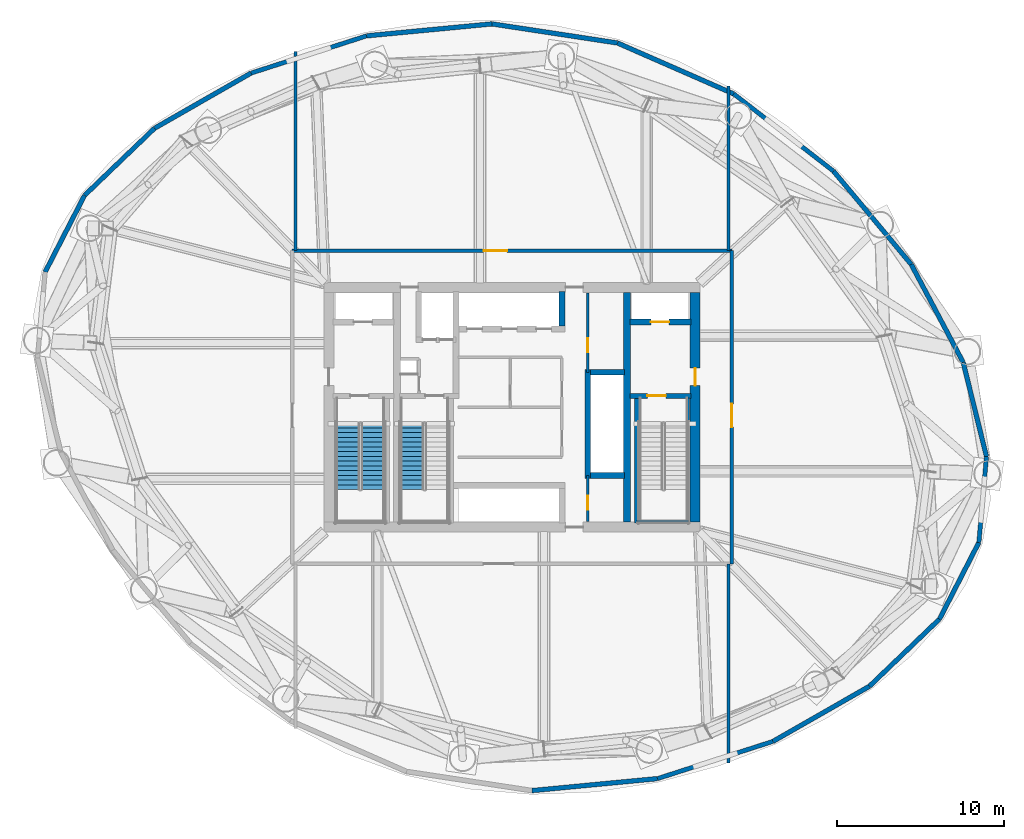
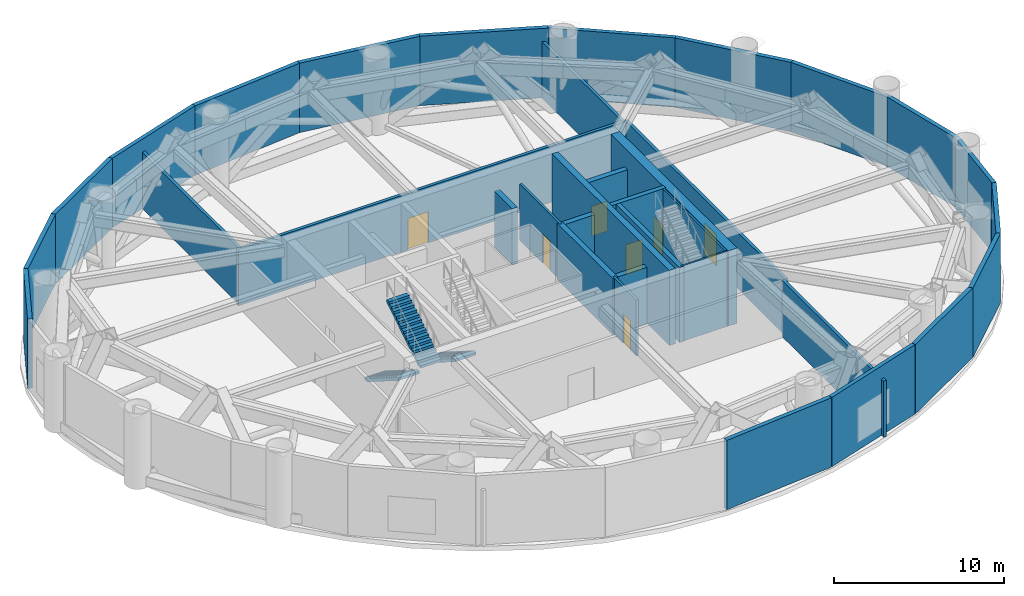
# One storey, part 8 of 13: 35 walls, 7 doors, 3 stair flights, 7 openings, 2 elements without a shape of their own.
"""IFC4 building model written with IfcOpenShell, lengths in metres."""

from ifc_helpers import new_model, si_unit, direction, frame, frame_2d, origin, place, context, subcontext, project, spatial, polyline, rectangle, outline, extrude, material, layer, layer_set, type_object, element, fill, aggregate, save


model = new_model("IFC4")

# Units and contexts
model_context = context("Model", 3, precision=1e-05, world=origin(), true_north=direction((0.0, 1.0)))
body_context = subcontext(model_context, "Body", "Model", "MODEL_VIEW")
ifc_project = project(units=[si_unit("LENGTHUNIT", "METRE"), si_unit("AREAUNIT", "SQUARE_METRE"), si_unit("VOLUMEUNIT", "CUBIC_METRE"), si_unit("PLANEANGLEUNIT", "RADIAN"), si_unit("MASSUNIT", "GRAM", prefix="KILO")], contexts=[model_context])

# Site, building, storey
site_placement = place(None, origin())
site = spatial("IfcSite", under=ifc_project, at=site_placement, CompositionType="ELEMENT")
building_placement = place(site_placement, origin())
building = spatial("IfcBuilding", under=site, at=building_placement, Name="Bramvorn Convention Spire", CompositionType="ELEMENT")
storey_placement = place(building_placement, frame((0.0, 0.0, 97.39990234375)))
storey = spatial("IfcBuildingStorey", under=building, at=storey_placement, Name="L23", CompositionType="ELEMENT", Elevation=97.39990234375)

# Wall, opening, door
ifc_material_1 = material(Name="Concrete C60/70", Category="concrete")
ifc_layer_1 = layer(ifc_material_1, 0.60009765625)
ifc_layer_set_1 = layer_set([ifc_layer_1], Name="Concrete C60/70 - WL-CORE-600")
wall_type_1 = type_object("IfcWallType", Name="WL-CORE-600", PredefinedType="SHEAR", material=ifc_layer_set_1)
wall_1_placement = place(storey_placement, frame((49.0, 19.10009765625, 0.0), z_axis=(0.0, 0.0, 1.0), x_axis=(0.0, 1.0, 0.0)))
wall_1 = element("IfcWall", 1, at=wall_1_placement, inside=storey, type_object=wall_type_1, Name="L23 East RC core shear wall", PredefinedType="SHEAR", context=body_context, shape_type="SweptSolid", body=[
    extrude(rectangle(XDim=13.7998046875, YDim=0.60009765625, at=frame_2d((6.89990234375, 0.0))), origin(), (0.0, 0.0, 1.0), 5.400146484375),
])
opening_1_placement = place(wall_1_placement, frame((8.199951171875, 0.0, 0.0)))
opening_1 = element("IfcOpeningElement", 2, at=opening_1_placement, cuts=wall_1, Name="Opening DL-105", PredefinedType="OPENING", context=body_context, shape_type="SweptSolid", body=[
    extrude(rectangle(XDim=1.050048828125, YDim=2.14990234375, at=frame_2d((0.52490234375, 1.074951171875))), frame((0.0, 0.31005859375, 0.0), z_axis=(0.0, -1.0, 0.0), x_axis=(1.0, 0.0, 0.0)), (0.0, 0.0, 1.0), 0.6201171875),
])
ifc_material_2 = material(Name="Smoke-Sealed Fire Lobby Timber-Core Door", Category="wood")
door_type_1 = type_object("IfcDoorType", Name="DR-LOBBY-1050", OperationType="NOTDEFINED", PredefinedType="DOOR", material=ifc_material_2)
door_1_placement = place(opening_1_placement, origin())
door_1 = element("IfcDoor", 3, at=door_1_placement, inside=storey, type_object=door_type_1, Name="L23 East Firefighting Lobby corridor door", OperationType="SINGLE_SWING_LEFT", OverallHeight=2.14990234375, OverallWidth=1.050048828125, PredefinedType="DOOR", context=body_context, shape_type="SweptSolid", body=[
    extrude(rectangle(XDim=1.050048828125, YDim=2.14990234375, at=frame_2d((0.52490234375, 1.074951171875))), frame((0.0, 0.02490234375, 0.0), z_axis=(0.0, -1.0, 0.0), x_axis=(1.0, 0.0, 0.0)), (0.0, 0.0, 1.0), 0.050048828125),
])
fill(opening_1, door_1)

ifc_material_3 = material(Name="Concrete C50/60", Category="concrete")
ifc_layer_2 = layer(ifc_material_3, 0.35009765625)
ifc_layer_set_2 = layer_set([ifc_layer_2], Name="Concrete C50/60 - WL-CORE-INT-350")
wall_type_2 = type_object("IfcWallType", Name="WL-CORE-INT-350", PredefinedType="SHEAR", material=ifc_layer_set_2)
wall_2_placement = place(storey_placement, frame((45.080078125, 31.1201171875, 0.0), z_axis=(0.0, 0.0, 1.0), x_axis=(1.0, 0.0, 0.0)))
wall_2 = element("IfcWall", 4, at=wall_2_placement, inside=storey, type_object=wall_type_2, Name="L23 FE2 shaft front wall", PredefinedType="SHEAR", context=body_context, shape_type="SweptSolid", body=[
    extrude(rectangle(XDim=3.669921875, YDim=0.35009765625, at=frame_2d((1.8349609375, 0.0))), origin(), (0.0, 0.0, 1.0), 4.0400390625),
])
opening_2_placement = place(wall_2_placement, frame((1.25, 0.0, 0.0)))
opening_2 = element("IfcOpeningElement", 5, at=opening_2_placement, cuts=wall_2, Name="Opening LD-110", PredefinedType="OPENING", context=body_context, shape_type="SweptSolid", body=[
    extrude(rectangle(XDim=1.10009765625, YDim=2.14990234375, at=frame_2d((0.550048828125, 1.074951171875))), frame((0.0, 0.18505859375, 0.0), z_axis=(0.0, -1.0, 0.0), x_axis=(1.0, 0.0, 0.0)), (0.0, 0.0, 1.0), 0.3701171875),
])
ifc_material_4 = material(Name="Firefighting & Service Lift Sliding Landing Door", Category="steel")
door_type_2 = type_object("IfcDoorType", Name="DR-LIFT-LD-1100", OperationType="NOTDEFINED", PredefinedType="DOOR", material=ifc_material_4)
door_2_placement = place(opening_2_placement, origin())
door_2 = element("IfcDoor", 6, at=door_2_placement, inside=storey, type_object=door_type_2, Name="L23 Lift FE2 Sliding Landing Door", OperationType="SLIDING_TO_LEFT", OverallHeight=2.14990234375, OverallWidth=1.10009765625, PredefinedType="DOOR", context=body_context, shape_type="SweptSolid", body=[
    extrude(rectangle(XDim=1.10009765625, YDim=2.14990234375, at=frame_2d((0.550048828125, 1.074951171875))), frame((0.0, 0.02490234375, 0.0), z_axis=(0.0, -1.0, 0.0), x_axis=(1.0, 0.0, 0.0)), (0.0, 0.0, 1.0), 0.050048828125),
])
fill(opening_2, door_2)

# Walls
wall_3_placement = place(storey_placement, frame((42.550048828125, 21.72998046875, 0.0), z_axis=(0.0, 0.0, 1.0), x_axis=(0.0, 1.0, 0.0)))
element("IfcWall", 7, at=wall_3_placement, inside=storey, type_object=wall_type_2, Name="L23 High-rise lift bank west wall", PredefinedType="SHEAR", context=body_context, shape_type="SweptSolid", body=[
    extrude(rectangle(XDim=6.5400390625, YDim=0.35009765625, at=frame_2d((3.27001953125, 0.0))), origin(), (0.0, 0.0, 1.0), 4.0400390625),
])
for number, where, z_axis, x_axis, name in (
    (8, (42.719970703125, 21.89990234375, 0.0), (0.0, 0.0, 1.0), (1.0, 0.0, 0.0), "L23 High-rise lift bank south wall"),
    (9, (42.719970703125, 28.10009765625, 0.0), (0.0, 0.0, 1.0), (1.0, 0.0, 0.0), "L23 High-rise lift bank north wall"),
):
    element("IfcWall", number, at=place(storey_placement, frame(where, z_axis=z_axis, x_axis=x_axis)), inside=storey, type_object=wall_type_2, Name=name, PredefinedType="SHEAR", context=body_context, shape_type="SweptSolid", body=[
        extrude(rectangle(XDim=2.030029296875, YDim=0.35009765625, at=frame_2d((1.01513671875, 0.0))), origin(), (0.0, 0.0, 1.0), 4.0400390625),
    ])
wall_4_placement = place(storey_placement, frame((41.0, 30.8701171875, 0.0), z_axis=(0.0, 0.0, 1.0), x_axis=(0.0, 1.0, 0.0)))
element("IfcWall", 10, at=wall_4_placement, inside=storey, type_object=wall_type_2, Name="L23 Low-rise bank east cheek wall", PredefinedType="SHEAR", context=body_context, shape_type="SweptSolid", body=[
    extrude(rectangle(XDim=2.079833984375, YDim=0.35009765625, at=frame_2d((1.0400390625, 0.0))), origin(), (0.0, 0.0, 1.0), 4.0400390625),
])
ifc_layer_3 = layer(ifc_material_1, 0.39990234375)
ifc_layer_set_3 = layer_set([ifc_layer_3], Name="Concrete C60/70 - WL-CORE-INT-400")
wall_type_3 = type_object("IfcWallType", Name="WL-CORE-INT-400", PredefinedType="SHEAR", material=ifc_layer_set_3)
wall_5_placement = place(storey_placement, frame((44.89990234375, 19.10009765625, 0.0), z_axis=(0.0, 0.0, 1.0), x_axis=(0.0, 1.0, 0.0)))
element("IfcWall", 11, at=wall_5_placement, inside=storey, type_object=wall_type_3, Name="L23 East internal core shear web", PredefinedType="SHEAR", context=body_context, shape_type="SweptSolid", body=[
    extrude(rectangle(XDim=13.7998046875, YDim=0.39990234375, at=frame_2d((6.89990234375, 0.0))), origin(), (0.0, 0.0, 1.0), 5.400146484375),
])
ifc_material_5 = material(Name="Precast Concrete C40/50 with Bronze Terracotta Rainscreen", Category="masonry")
ifc_layer_4 = layer(ifc_material_5, 0.300048828125)
ifc_layer_set_4 = layer_set([ifc_layer_4], Name="Precast Concrete C40/50 with Bronze Terracotta Rainscreen - WL-EXT-BRONZE-300")
wall_type_4 = type_object("IfcWallType", Name="WL-EXT-BRONZE-300", PredefinedType="SOLIDWALL", material=ifc_layer_set_4)
wall_6_placement = place(storey_placement, frame((65.087890625, 28.68994140625, 0.0), z_axis=(0.0, 0.0, 1.0), x_axis=(0.240088145805, -0.970751091807, 0.0)))
element("IfcWall", 12, at=wall_6_placement, inside=storey, type_object=wall_type_4, Name="L23 expressed bronze Gothic lancet pier wall 02", PredefinedType="SOLIDWALL", context=body_context, shape_type="SweptSolid", body=[
    extrude(rectangle(XDim=5.82275390625, YDim=0.280029296875, at=frame_2d((2.911376953125, 0.0))), origin(), (0.0, 0.0, 1.0), 4.97998046875),
])
wall_7_placement = place(storey_placement, frame((61.965087890625, 34.578369140625, 0.0), z_axis=(0.0, 0.0, 1.0), x_axis=(0.468520389659, -0.883452683777, 0.0)))
element("IfcWall", 13, at=wall_7_placement, inside=storey, type_object=wall_type_4, Name="L23 expressed bronze Gothic lancet pier wall 03", PredefinedType="SOLIDWALL", context=body_context, shape_type="SweptSolid", body=[
    extrude(rectangle(XDim=6.665283203125, YDim=0.280029296875, at=frame_2d((3.33251953125, 0.0))), origin(), (0.0, 0.0, 1.0), 4.97998046875),
])
wall_8_placement = place(storey_placement, frame((57.29541015625, 40.178466796875, 0.0), z_axis=(0.0, 0.0, 1.0), x_axis=(0.64042149177, -0.768023640833, 0.0)))
element("IfcWall", 14, at=wall_8_placement, inside=storey, type_object=wall_type_4, Name="L23 expressed bronze Gothic lancet pier wall 04", PredefinedType="SOLIDWALL", context=body_context, shape_type="SweptSolid", body=[
    extrude(rectangle(XDim=7.29150390625, YDim=0.280029296875, at=frame_2d((3.645751953125, 0.0))), origin(), (0.0, 0.0, 1.0), 4.97998046875),
])
for number, where, z_axis, x_axis, name in (
    (15, (44.33251953125, 47.867919921875, 0.0), (0.0, 0.0, 1.0), (0.916030033218, -0.401109683556, 0.0), "L23 expressed bronze Gothic lancet pier wall 06"),
    (16, (36.8017578125, 49.013916015625, 0.0), (0.0, 0.0, 1.0), (0.988618630086, -0.150443358932, 0.0), "L23 expressed bronze Gothic lancet pier wall 07"),
):
    element("IfcWall", number, at=place(storey_placement, frame(where, z_axis=z_axis, x_axis=x_axis)), inside=storey, type_object=wall_type_4, Name=name, PredefinedType="SOLIDWALL", context=body_context, shape_type="SweptSolid", body=[
        extrude(rectangle(XDim=7.617431640625, YDim=0.280029296875, at=frame_2d((3.80859375, 0.0))), origin(), (0.0, 0.0, 1.0), 4.97998046875),
    ])
wall_9_placement = place(storey_placement, frame((29.266845703125, 48.294921875, 0.0), z_axis=(0.0, 0.0, 1.0), x_axis=(0.995478205262, 0.09499022501, 0.0)))
element("IfcWall", 17, at=wall_9_placement, inside=storey, type_object=wall_type_4, Name="L23 expressed bronze Gothic lancet pier wall 08", PredefinedType="SOLIDWALL", context=body_context, shape_type="SweptSolid", body=[
    extrude(rectangle(XDim=7.569091796875, YDim=0.280029296875, at=frame_2d((3.78466796875, 0.0))), origin(), (0.0, 0.0, 1.0), 4.97998046875),
])
wall_10_placement = place(storey_placement, frame((16.541015625, 42.748291015625, 0.0), z_axis=(0.0, 0.0, 1.0), x_axis=(0.86808981903, 0.49640715758, 0.0)))
element("IfcWall", 18, at=wall_10_placement, inside=storey, type_object=wall_type_4, Name="L23 expressed bronze Gothic lancet pier wall 10", PredefinedType="SOLIDWALL", context=body_context, shape_type="SweptSolid", body=[
    extrude(rectangle(XDim=6.6650390625, YDim=0.280029296875, at=frame_2d((3.33251953125, 0.0))), origin(), (0.0, 0.0, 1.0), 4.97998046875),
])
wall_11_placement = place(storey_placement, frame((12.339111328125, 38.717529296875, 0.0), z_axis=(0.0, 0.0, 1.0), x_axis=(0.721650367619, 0.692257717122, 0.0)))
element("IfcWall", 19, at=wall_11_placement, inside=storey, type_object=wall_type_4, Name="L23 expressed bronze Gothic lancet pier wall 11", PredefinedType="SOLIDWALL", context=body_context, shape_type="SweptSolid", body=[
    extrude(rectangle(XDim=5.822509765625, YDim=0.280029296875, at=frame_2d((2.9111328125, 0.0))), origin(), (0.0, 0.0, 1.0), 4.97998046875),
])
wall_12_placement = place(storey_placement, frame((9.971435546875, 34.116455078125, 0.0), z_axis=(0.0, 0.0, 1.0), x_axis=(0.457563345327, 0.889177026814, 0.0)))
element("IfcWall", 20, at=wall_12_placement, inside=storey, type_object=wall_type_4, Name="L23 expressed bronze Gothic lancet pier wall 12", PredefinedType="SOLIDWALL", context=body_context, shape_type="SweptSolid", body=[
    extrude(rectangle(XDim=5.174560546875, YDim=0.280029296875, at=frame_2d((2.58740234375, 0.0))), origin(), (0.0, 0.0, 1.0), 4.97998046875),
])
wall_13_placement = place(storey_placement, frame((46.733154296875, 3.705078125, 0.0), z_axis=(0.0, 0.0, 1.0), x_axis=(-0.995478205262, -0.09499022501, 0.0)))
element("IfcWall", 21, at=wall_13_placement, inside=storey, type_object=wall_type_4, Name="L23 expressed bronze Gothic lancet pier wall 20", PredefinedType="SOLIDWALL", context=body_context, shape_type="SweptSolid", body=[
    extrude(rectangle(XDim=7.569091796875, YDim=0.280029296875, at=frame_2d((3.78466796875, 0.0))), origin(), (0.0, 0.0, 1.0), 4.97998046875),
])
wall_14_placement = place(storey_placement, frame((59.458984375, 9.251708984375, 0.0), z_axis=(0.0, 0.0, 1.0), x_axis=(-0.86808981903, -0.49640715758, 0.0)))
element("IfcWall", 22, at=wall_14_placement, inside=storey, type_object=wall_type_4, Name="L23 expressed bronze Gothic lancet pier wall 22", PredefinedType="SOLIDWALL", context=body_context, shape_type="SweptSolid", body=[
    extrude(rectangle(XDim=6.6650390625, YDim=0.280029296875, at=frame_2d((3.33251953125, 0.0))), origin(), (0.0, 0.0, 1.0), 4.97998046875),
])
wall_15_placement = place(storey_placement, frame((63.660888671875, 13.282470703125, 0.0), z_axis=(0.0, 0.0, 1.0), x_axis=(-0.721650367619, -0.692257717122, 0.0)))
element("IfcWall", 23, at=wall_15_placement, inside=storey, type_object=wall_type_4, Name="L23 expressed bronze Gothic lancet pier wall 23", PredefinedType="SOLIDWALL", context=body_context, shape_type="SweptSolid", body=[
    extrude(rectangle(XDim=5.822509765625, YDim=0.280029296875, at=frame_2d((2.9111328125, 0.0))), origin(), (0.0, 0.0, 1.0), 4.97998046875),
])
wall_16_placement = place(storey_placement, frame((66.028564453125, 17.883544921875, 0.0), z_axis=(0.0, 0.0, 1.0), x_axis=(-0.457563345327, -0.889177026814, 0.0)))
element("IfcWall", 24, at=wall_16_placement, inside=storey, type_object=wall_type_4, Name="L23 expressed bronze Gothic lancet pier wall 24", PredefinedType="SOLIDWALL", context=body_context, shape_type="SweptSolid", body=[
    extrude(rectangle(XDim=5.174560546875, YDim=0.280029296875, at=frame_2d((2.58740234375, 0.0))), origin(), (0.0, 0.0, 1.0), 4.97998046875),
])
ifc_material_6 = material(Name="Precast Concrete C40/50 Insulated Terrace Wall", Category="concrete")
ifc_layer_5 = layer(ifc_material_6, 0.280029296875)
ifc_layer_set_5 = layer_set([ifc_layer_5], Name="Precast Concrete C40/50 Insulated Terrace Wall - WL-EXT-TERR-280")
wall_type_5 = type_object("IfcWallType", Name="WL-EXT-TERR-280", PredefinedType="SOLIDWALL", material=ifc_layer_set_5)
wall_17_placement = place(storey_placement, frame((66.48583984375, 23.03759765625, 0.0), z_axis=(0.0, 0.0, 1.0), x_axis=(-0.088374381546, -0.996087329849, 0.0)))
element("IfcWall", 25, at=wall_17_placement, inside=storey, type_object=wall_type_5, Name="L23 plant floor acoustic louvre breast wall 01", PredefinedType="SOLIDWALL", context=body_context, shape_type="SweptSolid", body=[
    extrude(rectangle(XDim=5.17431640625, YDim=0.260009765625, at=frame_2d((2.587158203125, 0.0))), origin(), (0.0, 0.0, 1.0), 4.97998046875),
])
wall_18_placement = place(storey_placement, frame((51.310302734375, 44.8125, 0.0), z_axis=(0.0, 0.0, 1.0), x_axis=(0.79069802152, -0.612206369425, 0.0)))
element("IfcWall", 26, at=wall_18_placement, inside=storey, type_object=wall_type_5, Name="L23 plant floor acoustic louvre breast wall 05", PredefinedType="SOLIDWALL", context=body_context, shape_type="SweptSolid", body=[
    extrude(rectangle(XDim=7.5693359375, YDim=0.260009765625, at=frame_2d((3.78466796875, 0.0))), origin(), (0.0, 0.0, 1.0), 4.97998046875),
])
for number, where, z_axis, x_axis, name in (
    (27, (22.326904296875, 46.056884765625, 0.0), (0.0, 0.0, 1.0), (0.95173480595, 0.306921584681, 0.0), "L23 plant floor acoustic louvre breast wall 09"),
    (28, (53.673095703125, 5.943115234375, 0.0), (0.0, 0.0, 1.0), (-0.95173480595, -0.306921584681, 0.0), "L23 plant floor acoustic louvre breast wall 21"),
):
    element("IfcWall", number, at=place(storey_placement, frame(where, z_axis=z_axis, x_axis=x_axis)), inside=storey, type_object=wall_type_5, Name=name, PredefinedType="SOLIDWALL", context=body_context, shape_type="SweptSolid", body=[
        extrude(rectangle(XDim=7.2919921875, YDim=0.260009765625, at=frame_2d((3.64599609375, 0.0))), origin(), (0.0, 0.0, 1.0), 4.97998046875),
    ])

# Wall, opening, door
ifc_material_7 = material(Name="Acoustic Metal-Stud Tenant/Corridor Partition", Category="gypsum")
ifc_layer_6 = layer(ifc_material_7, 0.14990234375)
ifc_layer_set_6 = layer_set([ifc_layer_6], Name="Acoustic Metal-Stud Tenant/Corridor Partition - WL-PART-150")
wall_type_6 = type_object("IfcWallType", Name="WL-PART-150", PredefinedType="PARTITIONING", material=ifc_layer_set_6)
wall_19_placement = place(storey_placement, frame((42.550048828125, 28.10009765625, 0.0), z_axis=(0.0, 0.0, 1.0), x_axis=(0.0, 1.0, 0.0)))
wall_19 = element("IfcWall", 29, at=wall_19_placement, inside=storey, type_object=wall_type_6, Name="L23 Core NE store wall", PredefinedType="PARTITIONING", context=body_context, shape_type="SweptSolid", body=[
    extrude(rectangle(XDim=4.75, YDim=0.14990234375, at=frame_2d((2.375, 0.0))), origin(), (0.0, 0.0, 1.0), 4.0400390625),
])
opening_3_placement = place(wall_19_placement, frame((1.199951171875, 0.0, 0.0)))
opening_3 = element("IfcOpeningElement", 30, at=opening_3_placement, cuts=wall_19, Name="Opening DC-085", PredefinedType="OPENING", context=body_context, shape_type="SweptSolid", body=[
    extrude(rectangle(XDim=0.85009765625, YDim=2.10009765625, at=frame_2d((0.425048828125, 1.050048828125))), frame((0.0, 0.0849609375, 0.0), z_axis=(0.0, -1.0, 0.0), x_axis=(1.0, 0.0, 0.0)), (0.0, 0.0, 1.0), 0.169921875),
])
ifc_material_8 = material(Name="Fire-Rated Core Washroom & IDF Door", Category="wood")
door_type_3 = type_object("IfcDoorType", Name="DR-CORE-850", OperationType="NOTDEFINED", PredefinedType="DOOR", material=ifc_material_8)
door_3_placement = place(opening_3_placement, origin())
door_3 = element("IfcDoor", 31, at=door_3_placement, inside=storey, type_object=door_type_3, Name="L23 Core NE store door", OperationType="SINGLE_SWING_LEFT", OverallHeight=2.10009765625, OverallWidth=0.85009765625, PredefinedType="DOOR", context=body_context, shape_type="SweptSolid", body=[
    extrude(rectangle(XDim=0.85009765625, YDim=2.10009765625, at=frame_2d((0.425048828125, 1.050048828125))), frame((0.0, 0.02490234375, 0.0), z_axis=(0.0, -1.0, 0.0), x_axis=(1.0, 0.0, 0.0)), (0.0, 0.0, 1.0), 0.050048828125),
])
fill(opening_3, door_3)

wall_20_placement = place(storey_placement, frame((42.550048828125, 19.14990234375, 0.0), z_axis=(0.0, 0.0, 1.0), x_axis=(0.0, 1.0, 0.0)))
wall_20 = element("IfcWall", 32, at=wall_20_placement, inside=storey, type_object=wall_type_6, Name="L23 Core SE riser wall", PredefinedType="PARTITIONING", context=body_context, shape_type="SweptSolid", body=[
    extrude(rectangle(XDim=2.75, YDim=0.14990234375, at=frame_2d((1.375, 0.0))), origin(), (0.0, 0.0, 1.0), 4.0400390625),
])
opening_4_placement = place(wall_20_placement, frame((0.699951171875, 0.0, 0.0)))
opening_4 = element("IfcOpeningElement", 33, at=opening_4_placement, cuts=wall_20, Name="Opening DC-085", PredefinedType="OPENING", context=body_context, shape_type="SweptSolid", body=[
    extrude(rectangle(XDim=0.85009765625, YDim=2.10009765625, at=frame_2d((0.425048828125, 1.050048828125))), frame((0.0, 0.0849609375, 0.0), z_axis=(0.0, -1.0, 0.0), x_axis=(1.0, 0.0, 0.0)), (0.0, 0.0, 1.0), 0.169921875),
])
door_4_placement = place(opening_4_placement, origin())
door_4 = element("IfcDoor", 34, at=door_4_placement, inside=storey, type_object=door_type_3, Name="L23 Core SE riser door", OperationType="SINGLE_SWING_LEFT", OverallHeight=2.10009765625, OverallWidth=0.85009765625, PredefinedType="DOOR", context=body_context, shape_type="SweptSolid", body=[
    extrude(rectangle(XDim=0.85009765625, YDim=2.10009765625, at=frame_2d((0.425048828125, 1.050048828125))), frame((0.0, 0.02490234375, 0.0), z_axis=(0.0, -1.0, 0.0), x_axis=(1.0, 0.0, 0.0)), (0.0, 0.0, 1.0), 0.050048828125),
])
fill(opening_4, door_4)

ifc_material_9 = material(Name="Gypsum Shaftwall & Rockwool Core Partition", Category="gypsum")
ifc_layer_7 = layer(ifc_material_9, 0.199951171875)
ifc_layer_set_7 = layer_set([ifc_layer_7], Name="Gypsum Shaftwall & Rockwool Core Partition - WL-PART-200-FR")
wall_type_7 = type_object("IfcWallType", Name="WL-PART-200-FR", PredefinedType="PARTITIONING", material=ifc_layer_set_7)
wall_21_placement = place(storey_placement, frame((24.800048828125, 35.39990234375, 0.0), z_axis=(0.0, 0.0, 1.0), x_axis=(1.0, 0.0, 0.0)))
wall_21 = element("IfcWall", 35, at=wall_21_placement, inside=storey, type_object=wall_type_7, Name="L23 Plant corridor north wall", PredefinedType="PARTITIONING", context=body_context, shape_type="SweptSolid", body=[
    extrude(rectangle(XDim=26.39990234375, YDim=0.199951171875, at=frame_2d((13.199951171875, 0.0))), origin(), (0.0, 0.0, 1.0), 4.0400390625),
])
opening_5_placement = place(wall_21_placement, frame((11.5, 0.0, 0.0)))
opening_5 = element("IfcOpeningElement", 36, at=opening_5_placement, cuts=wall_21, Name="Opening DP-140", PredefinedType="OPENING", context=body_context, shape_type="SweptSolid", body=[
    extrude(rectangle(XDim=1.39990234375, YDim=2.25, at=frame_2d((0.699951171875, 1.125))), frame((0.0, 0.10986328125, 0.0), z_axis=(0.0, -1.0, 0.0), x_axis=(1.0, 0.0, 0.0)), (0.0, 0.0, 1.0), 0.219970703125),
])
ifc_material_10 = material(Name="Heavy-Duty Acoustic Louvre Plant Room Door", Category="steel")
door_type_4 = type_object("IfcDoorType", Name="DR-PLANT-1400", OperationType="NOTDEFINED", PredefinedType="DOOR", material=ifc_material_10)
door_5_placement = place(opening_5_placement, origin())
door_5 = element("IfcDoor", 37, at=door_5_placement, inside=storey, type_object=door_type_4, Name="L23 Dedicated Outdoor Air & ERV Plant door", OperationType="DOUBLE_DOOR_SINGLE_SWING", OverallHeight=2.25, OverallWidth=1.39990234375, PredefinedType="DOOR", context=body_context, shape_type="SweptSolid", body=[
    extrude(rectangle(XDim=1.39990234375, YDim=2.25, at=frame_2d((0.699951171875, 1.125))), frame((0.0, 0.02490234375, 0.0), z_axis=(0.0, -1.0, 0.0), x_axis=(1.0, 0.0, 0.0)), (0.0, 0.0, 1.0), 0.050048828125),
])
fill(opening_5, door_5)

wall_22_placement = place(storey_placement, frame((51.199951171875, 16.60009765625, 0.0), z_axis=(0.0, 0.0, 1.0), x_axis=(0.0, 1.0, 0.0)))
wall_22 = element("IfcWall", 38, at=wall_22_placement, inside=storey, type_object=wall_type_7, Name="L23 Plant corridor east wall", PredefinedType="PARTITIONING", context=body_context, shape_type="SweptSolid", body=[
    extrude(rectangle(XDim=18.7998046875, YDim=0.199951171875, at=frame_2d((9.39990234375, 0.0))), origin(), (0.0, 0.0, 1.0), 4.0400390625),
])
opening_6_placement = place(wall_22_placement, frame((8.199951171875, 0.0, 0.0)))
opening_6 = element("IfcOpeningElement", 39, at=opening_6_placement, cuts=wall_22, Name="Opening DP-140", PredefinedType="OPENING", context=body_context, shape_type="SweptSolid", body=[
    extrude(rectangle(XDim=1.39990234375, YDim=2.25, at=frame_2d((0.699951171875, 1.125))), frame((0.0, 0.10986328125, 0.0), z_axis=(0.0, -1.0, 0.0), x_axis=(1.0, 0.0, 0.0)), (0.0, 0.0, 1.0), 0.219970703125),
])
door_6_placement = place(opening_6_placement, origin())
door_6 = element("IfcDoor", 40, at=door_6_placement, inside=storey, type_object=door_type_4, Name="L23 High-Rise Electrical Substation & UPS door", OperationType="DOUBLE_DOOR_SINGLE_SWING", OverallHeight=2.25, OverallWidth=1.39990234375, PredefinedType="DOOR", context=body_context, shape_type="SweptSolid", body=[
    extrude(rectangle(XDim=1.39990234375, YDim=2.25, at=frame_2d((0.699951171875, 1.125))), frame((0.0, 0.02490234375, 0.0), z_axis=(0.0, -1.0, 0.0), x_axis=(1.0, 0.0, 0.0)), (0.0, 0.0, 1.0), 0.050048828125),
])
fill(opening_6, door_6)

# Walls
for number, where, z_axis, x_axis, name in (
    (41, (25.0, 35.39990234375, 0.0), (0.0, 0.0, 1.0), (0.0, 1.0, 0.0), "L23 Compartment fire wall"),
    (42, (51.0, 4.65380859375, 0.0), (0.0, 0.0, 1.0), (0.0, 1.0, 0.0), "L23 Compartment fire wall"),
):
    element("IfcWall", number, at=place(storey_placement, frame(where, z_axis=z_axis, x_axis=x_axis)), inside=storey, type_object=wall_type_7, Name=name, PredefinedType="PARTITIONING", context=body_context, shape_type="SweptSolid", body=[
        extrude(rectangle(XDim=11.9462890625, YDim=0.199951171875, at=frame_2d((5.97314453125, 0.0))), origin(), (0.0, 0.0, 1.0), 4.0400390625),
    ])
wall_23_placement = place(storey_placement, frame((51.0, 35.39990234375, 0.0), z_axis=(0.0, 0.0, 1.0), x_axis=(0.0, 1.0, 0.0)))
element("IfcWall", 43, at=wall_23_placement, inside=storey, type_object=wall_type_7, Name="L23 Compartment fire wall", PredefinedType="PARTITIONING", context=body_context, shape_type="SweptSolid", body=[
    extrude(rectangle(XDim=9.872802734375, YDim=0.199951171875, at=frame_2d((4.9365234375, 0.0))), origin(), (0.0, 0.0, 1.0), 4.0400390625),
])

# Wall, opening, door
ifc_layer_8 = layer(ifc_material_3, 0.300048828125)
ifc_layer_set_8 = layer_set([ifc_layer_8], Name="Concrete C50/60 - WL-POD-STAIR-300")
wall_type_8 = type_object("IfcWallType", Name="WL-POD-STAIR-300", PredefinedType="SHEAR", material=ifc_layer_set_8)
wall_24_placement = place(storey_placement, frame((45.080078125, 26.68994140625, 0.0), z_axis=(0.0, 0.0, 1.0), x_axis=(1.0, 0.0, 0.0)))
wall_24 = element("IfcWall", 44, at=wall_24_placement, inside=storey, type_object=wall_type_8, Name="L23 ST2 north fire wall", PredefinedType="SHEAR", context=body_context, shape_type="SweptSolid", body=[
    extrude(rectangle(XDim=3.669921875, YDim=0.300048828125, at=frame_2d((1.8349609375, 0.0))), origin(), (0.0, 0.0, 1.0), 5.400146484375),
])
opening_7_placement = place(wall_24_placement, frame((1.050048828125, 0.0, 0.0)))
opening_7 = element("IfcOpeningElement", 45, at=opening_7_placement, cuts=wall_24, Name="Opening DS-110", PredefinedType="OPENING", context=body_context, shape_type="SweptSolid", body=[
    extrude(rectangle(XDim=1.10009765625, YDim=2.14990234375, at=frame_2d((0.550048828125, 1.074951171875))), frame((0.0, 0.159912109375, 0.0), z_axis=(0.0, -1.0, 0.0), x_axis=(1.0, 0.0, 0.0)), (0.0, 0.0, 1.0), 0.320068359375),
])
ifc_material_11 = material(Name="Fire-Rated Hollow Steel Stairwell Door", Category="steel")
door_type_5 = type_object("IfcDoorType", Name="DR-STAIR-1100", OperationType="NOTDEFINED", PredefinedType="DOOR", material=ifc_material_11)
door_7_placement = place(opening_7_placement, origin())
door_7 = element("IfcDoor", 46, at=door_7_placement, inside=storey, type_object=door_type_5, Name="L23 Stair ST2 fire door", OperationType="SINGLE_SWING_RIGHT", OverallHeight=2.14990234375, OverallWidth=1.10009765625, PredefinedType="DOOR", context=body_context, shape_type="SweptSolid", body=[
    extrude(rectangle(XDim=1.10009765625, YDim=2.14990234375, at=frame_2d((0.550048828125, 1.074951171875))), frame((0.0, 0.02490234375, 0.0), z_axis=(0.0, -1.0, 0.0), x_axis=(1.0, 0.0, 0.0)), (0.0, 0.0, 1.0), 0.050048828125),
])
fill(opening_7, door_7)

# Walls
wall_25_placement = place(storey_placement, frame((45.510009765625, 19.050048828125, 0.0), z_axis=(0.0, 0.0, 1.0), x_axis=(0.0, 1.0, 0.0)))
element("IfcWall", 47, at=wall_25_placement, inside=storey, type_object=wall_type_8, Name="L23 ST2 west bearing wall", PredefinedType="SHEAR", context=body_context, shape_type="SweptSolid", body=[
    extrude(rectangle(XDim=7.5, YDim=0.300048828125, at=frame_2d((3.75, 0.0))), origin(), (0.0, 0.0, 1.0), 5.400146484375),
])
ifc_layer_9 = layer(ifc_material_3, 0.1201171875)
ifc_layer_set_9 = layer_set([ifc_layer_9], Name="Concrete C50/60 - WL-STAIR-RC-120")
wall_type_9 = type_object("IfcWallType", Name="WL-STAIR-RC-120", PredefinedType="SHEAR", material=ifc_layer_set_9)
wall_26_placement = place(storey_placement, frame((48.60498046875, 19.10009765625, 0.0), z_axis=(0.0, 0.0, 1.0), x_axis=(0.0, 1.0, 0.0)))
element("IfcWall", 48, at=wall_26_placement, inside=storey, type_object=wall_type_9, Name="L23 ST2 east bearing shear wall", PredefinedType="SHEAR", context=body_context, shape_type="SweptSolid", body=[
    extrude(rectangle(XDim=7.449951171875, YDim=0.1201171875, at=frame_2d((3.72509765625, 0.0))), origin(), (0.0, 0.0, 1.0), 5.400146484375),
])
wall_27_placement = place(storey_placement, frame((45.510009765625, 19.159912109375, 0.0), z_axis=(0.0, 0.0, 1.0), x_axis=(1.0, 0.0, 0.0)))
element("IfcWall", 49, at=wall_27_placement, inside=storey, type_object=wall_type_9, Name="L23 ST2 south bearing shear wall", PredefinedType="SHEAR", context=body_context, shape_type="SweptSolid", body=[
    extrude(rectangle(XDim=3.094970703125, YDim=0.1201171875, at=frame_2d((1.54736328125, 0.0))), origin(), (0.0, 0.0, 1.0), 5.400146484375),
])

# Stair, stair flights
ifc_material_12 = material(Name="Concrete C40/50 Precast Stair", Category="concrete")
stair_type = type_object("IfcStairType", Name="ST-TOWER-1550", PredefinedType="HALF_TURN_STAIR", material=ifc_material_12)
stair_1_placement = place(storey_placement, origin())
stair_1 = element("IfcStair", 50, at=stair_1_placement, inside=storey, type_object=stair_type, Name="L23 Protected Exit Stair ST1", PredefinedType="HALF_TURN_STAIR")
ifc_material_13 = material(Name="Concrete C40/50 Precast Stair Flight", Category="concrete")
stair_flight_type = type_object("IfcStairFlightType", Name="STF-TOWER-1550", PredefinedType="STRAIGHT", material=ifc_material_13)
stair_flight_1_placement = place(storey_placement, frame((28.155029296875, 25.050048828125, 0.0), z_axis=(0.0, 0.0, 1.0), x_axis=(0.0, -1.0, 0.0)))
stair_flight_1 = element("IfcStairFlight", 51, at=stair_flight_1_placement, type_object=stair_flight_type, Name="ST1 flight 1", NumberOfRisers=15, NumberOfTreads=14, PredefinedType="STRAIGHT", RiserHeight=0.18, TreadLength=0.285, context=body_context, shape_type="SweptSolid", body=[
    extrude(outline(polyline([(0.0, 0.0), (0.0, 0.179931640625), (0.284912109375, 0.179931640625), (0.284912109375, 0.360107421875), (0.570068359375, 0.360107421875), (0.570068359375, 0.5400390625), (0.85498046875, 0.5400390625), (0.85498046875, 0.719970703125), (1.139892578125, 0.719970703125), (1.139892578125, 0.89990234375), (1.425048828125, 0.89990234375), (1.425048828125, 1.080078125), (1.7099609375, 1.080078125), (1.7099609375, 1.260009765625), (1.9951171875, 1.260009765625), (1.9951171875, 1.43994140625), (2.280029296875, 1.43994140625), (2.280029296875, 1.6201171875), (2.56494140625, 1.6201171875), (2.56494140625, 1.800048828125), (2.85009765625, 1.800048828125), (2.85009765625, 1.97998046875), (3.135009765625, 1.97998046875), (3.135009765625, 2.159912109375), (3.419921875, 2.159912109375), (3.419921875, 2.340087890625), (3.705078125, 2.340087890625), (3.705078125, 2.52001953125), (3.989990234375, 2.52001953125), (3.989990234375, 2.699951171875), (3.989990234375, 2.3427734375), (0.28076171875, 0.0), (0.0, 0.0)])), frame((0.0, 0.705078125, 0.0), z_axis=(0.0, -1.0, 0.0), x_axis=(1.0, 0.0, 0.0)), (0.0, 0.0, 1.0), 1.409912109375),
])
stair_flight_2_placement = place(storey_placement, frame((29.64501953125, 21.06005859375, 2.7001953125), z_axis=(0.0, 0.0, 1.0), x_axis=(0.0, 1.0, 0.0)))
stair_flight_2 = element("IfcStairFlight", 52, at=stair_flight_2_placement, type_object=stair_flight_type, Name="ST1 flight 2", NumberOfRisers=15, NumberOfTreads=14, PredefinedType="STRAIGHT", RiserHeight=0.18, TreadLength=0.285, context=body_context, shape_type="SweptSolid", body=[
    extrude(outline(polyline([(0.0, 0.0), (0.0, 0.179931640625), (0.284912109375, 0.179931640625), (0.284912109375, 0.360107421875), (0.570068359375, 0.360107421875), (0.570068359375, 0.5400390625), (0.85498046875, 0.5400390625), (0.85498046875, 0.719970703125), (1.139892578125, 0.719970703125), (1.139892578125, 0.89990234375), (1.425048828125, 0.89990234375), (1.425048828125, 1.080078125), (1.7099609375, 1.080078125), (1.7099609375, 1.260009765625), (1.9951171875, 1.260009765625), (1.9951171875, 1.43994140625), (2.280029296875, 1.43994140625), (2.280029296875, 1.6201171875), (2.56494140625, 1.6201171875), (2.56494140625, 1.800048828125), (2.85009765625, 1.800048828125), (2.85009765625, 1.97998046875), (3.135009765625, 1.97998046875), (3.135009765625, 2.159912109375), (3.419921875, 2.159912109375), (3.419921875, 2.340087890625), (3.705078125, 2.340087890625), (3.705078125, 2.52001953125), (3.989990234375, 2.52001953125), (3.989990234375, 2.699951171875), (3.989990234375, 2.3427734375), (0.28076171875, 0.0), (0.0, 0.0)])), frame((0.0, 0.705078125, 0.0), z_axis=(0.0, -1.0, 0.0), x_axis=(1.0, 0.0, 0.0)), (0.0, 0.0, 1.0), 1.409912109375),
])
aggregate(stair_1, [stair_flight_1, stair_flight_2])

# Stair, stair flight
stair_2_placement = place(storey_placement, origin())
stair_2 = element("IfcStair", 53, at=stair_2_placement, inside=storey, type_object=stair_type, Name="L23 Protected Exit Stair ST3", PredefinedType="HALF_TURN_STAIR")
stair_flight_3_placement = place(storey_placement, frame((32.0048828125, 25.050048828125, 0.0), z_axis=(0.0, 0.0, 1.0), x_axis=(0.0, -1.0, 0.0)))
stair_flight_3 = element("IfcStairFlight", 54, at=stair_flight_3_placement, type_object=stair_flight_type, Name="ST3 flight 1", NumberOfRisers=15, NumberOfTreads=14, PredefinedType="STRAIGHT", RiserHeight=0.18, TreadLength=0.285, context=body_context, shape_type="SweptSolid", body=[
    extrude(outline(polyline([(0.0, 0.0), (0.0, 0.179931640625), (0.284912109375, 0.179931640625), (0.284912109375, 0.360107421875), (0.570068359375, 0.360107421875), (0.570068359375, 0.5400390625), (0.85498046875, 0.5400390625), (0.85498046875, 0.719970703125), (1.139892578125, 0.719970703125), (1.139892578125, 0.89990234375), (1.425048828125, 0.89990234375), (1.425048828125, 1.080078125), (1.7099609375, 1.080078125), (1.7099609375, 1.260009765625), (1.9951171875, 1.260009765625), (1.9951171875, 1.43994140625), (2.280029296875, 1.43994140625), (2.280029296875, 1.6201171875), (2.56494140625, 1.6201171875), (2.56494140625, 1.800048828125), (2.85009765625, 1.800048828125), (2.85009765625, 1.97998046875), (3.135009765625, 1.97998046875), (3.135009765625, 2.159912109375), (3.419921875, 2.159912109375), (3.419921875, 2.340087890625), (3.705078125, 2.340087890625), (3.705078125, 2.52001953125), (3.989990234375, 2.52001953125), (3.989990234375, 2.699951171875), (3.989990234375, 2.3427734375), (0.28076171875, 0.0), (0.0, 0.0)])), frame((0.0, 0.705078125, 0.0), z_axis=(0.0, -1.0, 0.0), x_axis=(1.0, 0.0, 0.0)), (0.0, 0.0, 1.0), 1.409912109375),
])
aggregate(stair_2, [stair_flight_3])

save(model, "model.ifc")
